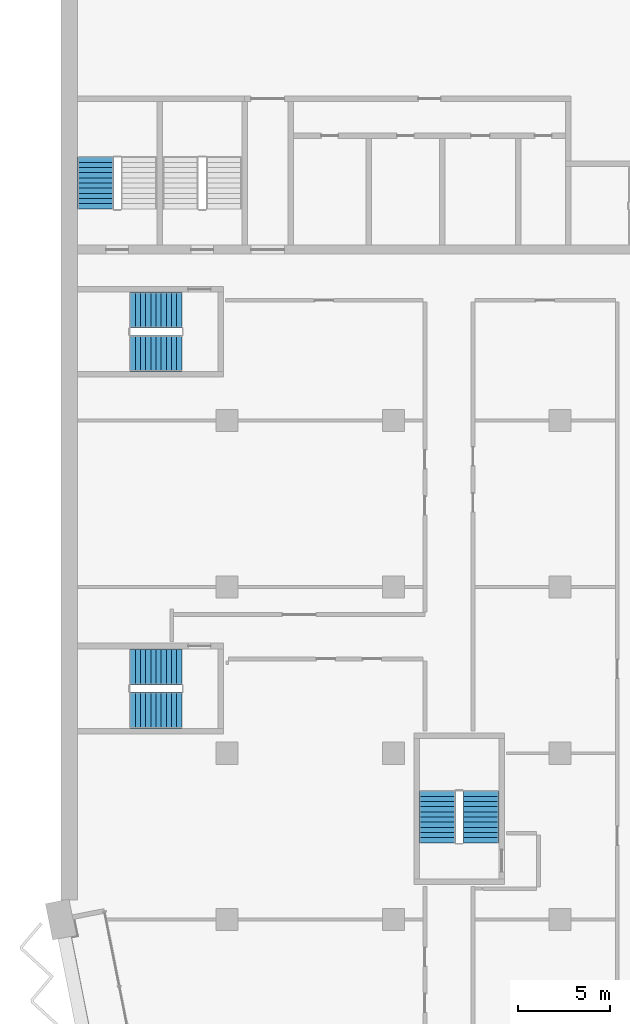
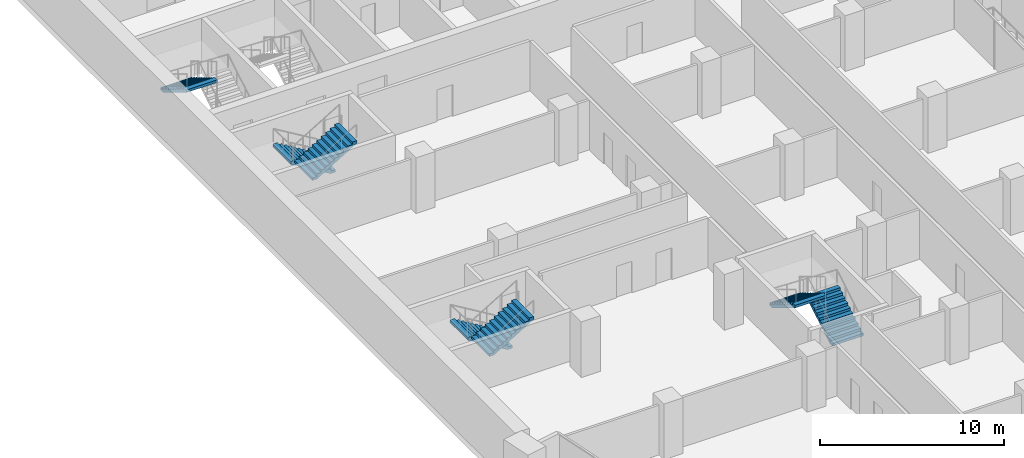
# One storey, part 16 of 23: 7 stair flights, 4 elements without a shape of their own.
"""IFC4 building model written with IfcOpenShell, lengths in metres."""

import ifcopenshell
import ifcopenshell.guid

model = None  # the IFC model being written
_history = None  # IfcOwnerHistory: only IFC2X3 demands one
_inside = {}  # id of a spatial element -> (the spatial element, [elements in it])
_under = {}  # id of a project, library or spatial element -> (it, [spatial elements below it])
_declared = {}  # id of a project -> (the project, [libraries it declares])
_typed = {}  # id of a type object -> (the type object, [elements of that type])
_made_of = {}  # id of a material, layer set ... -> (it, [elements and type objects made of it])


def new_model(schema):
    """Start an empty IFC model of exactly this schema.

    Asked for "IFC4X3", IfcOpenShell would pick the latest addendum, in which some entities
    have other attributes; the version numbers below select the first issue.
    IFC2X3 requires an IfcOwnerHistory on every rooted entity: one is made here for all.
    """
    global model, _history
    if schema == "IFC4X3":
        model = ifcopenshell.file(schema_version=(4, 3, 0, 0))
    else:
        model = ifcopenshell.file(schema=schema)
    _inside.clear()
    _under.clear()
    _declared.clear()
    _typed.clear()
    _made_of.clear()
    _history = None
    if model.schema == "IFC2X3":
        org = make("IfcOrganization", Name="unknown")
        user = make(
            "IfcPersonAndOrganization",
            ThePerson=make("IfcPerson", FamilyName="unknown"),
            TheOrganization=org,
        )
        app = make(
            "IfcApplication",
            ApplicationDeveloper=org,
            Version="unknown",
            ApplicationFullName="unknown",
            ApplicationIdentifier="unknown",
        )
        _history = make(
            "IfcOwnerHistory",
            OwningUser=user,
            OwningApplication=app,
            ChangeAction="ADDED",
            CreationDate=0,
        )
    return model


def make(cls, **values):
    """One entity of the class cls with the attributes given. An attribute that is None is left unset."""
    return model.create_entity(
        cls, **{name: value for name, value in values.items() if value is not None}
    )


def rooted(cls, **values):
    """An entity with a GlobalId (a new one), such as an element, a storey or a relation."""
    return make(cls, GlobalId=ifcopenshell.guid.new(), OwnerHistory=_history, **values)


def si_unit(unit_type, name, prefix=None):
    """IfcSIUnit, for example si_unit("LENGTHUNIT", "METRE", prefix="MILLI")."""
    return make("IfcSIUnit", UnitType=unit_type, Prefix=prefix, Name=name)


def assignment(units):
    """IfcUnitAssignment: the units of a project."""
    return None if units is None else make("IfcUnitAssignment", Units=units)


def point(xyz):
    """IfcCartesianPoint."""
    return None if xyz is None else make("IfcCartesianPoint", Coordinates=xyz)


def direction(xyz):
    """IfcDirection."""
    return None if xyz is None else make("IfcDirection", DirectionRatios=xyz)


def frame(location, z_axis=None, x_axis=None):
    """IfcAxis2Placement3D, a coordinate frame: its origin and axes. An axis left out is left unset."""
    return make(
        "IfcAxis2Placement3D",
        Location=point(location),
        Axis=direction(z_axis),
        RefDirection=direction(x_axis),
    )


def origin():
    """The frame at (0, 0, 0) with its axes left unset."""
    return frame((0.0, 0.0, 0.0))


def place(relative_to, where):
    """IfcLocalPlacement: puts the frame where relative to a parent placement (None: the world)."""
    return make(
        "IfcLocalPlacement", PlacementRelTo=relative_to, RelativePlacement=where
    )


def context(
    kind, dimensions, precision=None, world=None, true_north=None, identifier=None
):
    """IfcGeometricRepresentationContext, for example the 3D "Model" context."""
    return make(
        "IfcGeometricRepresentationContext",
        ContextIdentifier=identifier,
        ContextType=kind,
        CoordinateSpaceDimension=dimensions,
        Precision=precision,
        WorldCoordinateSystem=world,
        TrueNorth=true_north,
    )


def subcontext(parent, identifier, kind, view, scale=None):
    """IfcGeometricRepresentationSubContext, for example "Body" below "Model"."""
    return make(
        "IfcGeometricRepresentationSubContext",
        ContextIdentifier=identifier,
        ContextType=kind,
        ParentContext=parent,
        TargetScale=scale,
        TargetView=view,
    )


def project(units=None, contexts=None):
    """IfcProject with its units and contexts."""
    return rooted(
        "IfcProject",
        Name="project",
        RepresentationContexts=contexts,
        UnitsInContext=assignment(units),
    )


def spatial(cls, under=None, at=None, **own):
    """A site, building, storey or space (cls), placed at a placement, below another one or the project."""
    s = rooted(cls, ObjectPlacement=at, **own)
    if under is not None:
        _under.setdefault(under.id(), (under, []))[1].append(s)
    return s


def polyline(points):
    """IfcPolyline through the points."""
    return make("IfcPolyline", Points=[point(p) for p in points])


def outline(outer, holes=None, kind="AREA"):
    """IfcArbitraryClosedProfileDef: a profile drawn as a closed curve; with holes, ...WithVoids."""
    if holes is None:
        return make("IfcArbitraryClosedProfileDef", ProfileType=kind, OuterCurve=outer)
    return make(
        "IfcArbitraryProfileDefWithVoids",
        ProfileType=kind,
        OuterCurve=outer,
        InnerCurves=holes,
    )


def extrude(swept, where, along, depth):
    """IfcExtrudedAreaSolid: the profile swept, set in the frame where, extruded along a direction by depth."""
    return make(
        "IfcExtrudedAreaSolid",
        SweptArea=swept,
        Position=where,
        ExtrudedDirection=direction(along),
        Depth=depth,
    )


def shape(context_of_items, identifier, shape_type, items):
    """IfcShapeRepresentation: the items that make up one representation, for example the "Body"."""
    return make(
        "IfcShapeRepresentation",
        ContextOfItems=context_of_items,
        RepresentationIdentifier=identifier,
        RepresentationType=shape_type,
        Items=items,
    )


def material(Name=None, Category=None):
    """IfcMaterial."""
    return make("IfcMaterial", Name=Name, Category=Category)


def made_of(thing, what):
    """Note that an element or type object is made of a material, layer set ...; save() writes the relation."""
    if what is not None:
        _made_of.setdefault(what.id(), (what, []))[1].append(thing)
    return thing


def type_object(cls, material=None, **own):
    """A type object (cls), such as IfcWallType, which elements share."""
    return made_of(rooted(cls, **own), material)


def element(
    cls,
    number,
    at=None,
    inside=None,
    cuts=None,
    type_object=None,
    material=None,
    context=None,
    identifier="Body",
    shape_type=None,
    held_by="IfcProductDefinitionShape",
    body=None,
    shapes=None,
    **own,
):
    """One element of the class cls, such as IfcWall. Its Tag is "e" and its number.

    at: its placement. inside: the storey or other place that contains it. cuts: it is an
    opening in that element (IfcRelVoidsElement). A single representation is given by context,
    identifier, shape_type and body (its items); several are given by shapes. held_by: the class
    of the entity that holds the representations. save() writes the other relations.
    """
    e = rooted(cls, Tag="e%d" % number, ObjectPlacement=at, **own)
    if body is not None:
        shapes = [shape(context, identifier, shape_type, body)]
    if shapes is not None:
        e.Representation = make(held_by, Representations=shapes)
    if inside is not None:
        _inside.setdefault(inside.id(), (inside, []))[1].append(e)
    if cuts is not None:
        rooted(
            "IfcRelVoidsElement", RelatingBuildingElement=cuts, RelatedOpeningElement=e
        )
    if type_object is not None:
        _typed.setdefault(type_object.id(), (type_object, []))[1].append(e)
    return made_of(e, material)


def aggregate(whole, parts):
    """IfcRelAggregates: a whole, such as a stair, and the parts it consists of."""
    return rooted("IfcRelAggregates", RelatingObject=whole, RelatedObjects=parts)


def save(model, path):
    """Write the relations noted so far, then the file.

    IfcRelAggregates (storeys below a building ...), IfcRelContainedInSpatialStructure (elements
    in a storey), IfcRelDefinesByType, IfcRelAssociatesMaterial and IfcRelDeclares: one each for
    every whole, place, type object, material and project.
    """
    for whole, parts in _under.values():
        aggregate(whole, parts)
    for where, things in _inside.values():
        rooted(
            "IfcRelContainedInSpatialStructure",
            RelatedElements=things,
            RelatingStructure=where,
        )
    for kind, things in _typed.values():
        rooted("IfcRelDefinesByType", RelatedObjects=things, RelatingType=kind)
    for what, things in _made_of.values():
        rooted("IfcRelAssociatesMaterial", RelatedObjects=things, RelatingMaterial=what)
    for by, libraries in _declared.values():
        rooted("IfcRelDeclares", RelatingContext=by, RelatedDefinitions=libraries)
    model.write(path)


model = new_model("IFC4")

# Units and contexts
model_context = context("Model", 3, precision=1e-05, world=origin(), true_north=direction((0.0, 1.0)))
body_context = subcontext(model_context, "Body", "Model", "MODEL_VIEW")
ifc_project = project(units=[si_unit("LENGTHUNIT", "METRE"), si_unit("AREAUNIT", "SQUARE_METRE"), si_unit("VOLUMEUNIT", "CUBIC_METRE"), si_unit("PLANEANGLEUNIT", "RADIAN"), si_unit("MASSUNIT", "GRAM", prefix="KILO")], contexts=[model_context])

# Site, building, storey
site_placement = place(None, origin())
site = spatial("IfcSite", under=ifc_project, at=site_placement, CompositionType="ELEMENT")
building_placement = place(site_placement, origin())
building = spatial("IfcBuilding", under=site, at=building_placement, Name="Hunhe Ridgeline Campus", CompositionType="ELEMENT")
storey_placement = place(building_placement, frame((0.0, 0.0, 148.60009765625)))
storey = spatial("IfcBuildingStorey", under=building, at=storey_placement, Name="L37", CompositionType="ELEMENT", Elevation=148.60009765625)

# Stair, stair flight
ifc_material = material(Name="Concrete C40", Category="concrete")
stair_type = type_object("IfcStairType", Name="Reinforced concrete dog-leg stair 1950 Concrete C40", PredefinedType="HALF_TURN_STAIR", material=ifc_material)
stair_1_placement = place(storey_placement, origin())
stair_1 = element("IfcStair", 1, at=stair_1_placement, inside=storey, type_object=stair_type, Name="L37 S3", PredefinedType="HALF_TURN_STAIR")
stair_flight_type = type_object("IfcStairFlightType", Name="Reinforced concrete stair flight 1950 Concrete C40", PredefinedType="STRAIGHT", material=ifc_material)
stair_flight_1_placement = place(storey_placement, frame((1.875, 68.25, 1.849853515625), z_axis=(0.0, 0.0, 1.0), x_axis=(0.0, -1.0, 0.0)))
stair_flight_1 = element("IfcStairFlight", 2, at=stair_flight_1_placement, type_object=stair_flight_type, Name="ST3 flight 2", NumberOfRisers=11, NumberOfTreads=10, PredefinedType="STRAIGHT", RiserHeight=0.168181818, TreadLength=0.28, context=body_context, shape_type="SweptSolid", body=[
    extrude(outline(polyline([(0.0, 0.0), (0.0, 0.168212890625), (0.280029296875, 0.168212890625), (0.280029296875, 0.33642578125), (0.56005859375, 0.33642578125), (0.56005859375, 0.504638671875), (0.840087890625, 0.504638671875), (0.840087890625, 0.672607421875), (1.1201171875, 0.672607421875), (1.1201171875, 0.8408203125), (1.39990234375, 0.8408203125), (1.39990234375, 1.009033203125), (1.679931640625, 1.009033203125), (1.679931640625, 1.17724609375), (1.9599609375, 1.17724609375), (1.9599609375, 1.345458984375), (2.239990234375, 1.345458984375), (2.239990234375, 1.513671875), (2.52001953125, 1.513671875), (2.52001953125, 1.681884765625), (2.800048828125, 1.681884765625), (2.800048828125, 1.85009765625), (2.800048828125, 1.5068359375), (0.291015625, 0.0), (0.0, 0.0)])), frame((0.0, 0.97509765625, 0.0), z_axis=(0.0, -1.0, 0.0), x_axis=(1.0, 0.0, 0.0)), (0.0, 0.0, 1.0), 1.949951171875),
    extrude(outline(polyline([(0.030029296875, 0.030029296875), (0.030029296875, 0.13818359375), (0.31005859375, 0.13818359375), (0.31005859375, 0.306396484375), (0.590087890625, 0.306396484375), (0.590087890625, 0.474609375), (0.8701171875, 0.474609375), (0.8701171875, 0.642578125), (1.14990234375, 0.642578125), (1.14990234375, 0.810791015625), (1.429931640625, 0.810791015625), (1.429931640625, 0.97900390625), (1.7099609375, 0.97900390625), (1.7099609375, 1.147216796875), (1.989990234375, 1.147216796875), (1.989990234375, 1.3154296875), (2.27001953125, 1.3154296875), (2.27001953125, 1.483642578125), (2.550048828125, 1.483642578125), (2.550048828125, 1.65185546875), (2.77001953125, 1.65185546875), (2.77001953125, 1.52392578125), (0.28271484375, 0.030029296875), (0.030029296875, 0.030029296875)])), frame((0.0, -0.070068359375, 0.0), z_axis=(0.0, -1.0, 0.0), x_axis=(1.0, 0.0, 0.0)), (0.0, 0.0, 1.0), 0.019775390625),
    extrude(outline(polyline([(0.030029296875, 0.030029296875), (0.030029296875, 0.13818359375), (0.31005859375, 0.13818359375), (0.31005859375, 0.306396484375), (0.590087890625, 0.306396484375), (0.590087890625, 0.474609375), (0.8701171875, 0.474609375), (0.8701171875, 0.642578125), (1.14990234375, 0.642578125), (1.14990234375, 0.810791015625), (1.429931640625, 0.810791015625), (1.429931640625, 0.97900390625), (1.7099609375, 0.97900390625), (1.7099609375, 1.147216796875), (1.989990234375, 1.147216796875), (1.989990234375, 1.3154296875), (2.27001953125, 1.3154296875), (2.27001953125, 1.483642578125), (2.550048828125, 1.483642578125), (2.550048828125, 1.65185546875), (2.77001953125, 1.65185546875), (2.77001953125, 1.52392578125), (0.28271484375, 0.030029296875), (0.030029296875, 0.030029296875)])), frame((0.0, 0.010009765625, 0.0), z_axis=(0.0, -1.0, 0.0), x_axis=(1.0, 0.0, 0.0)), (0.0, 0.0, 1.0), 0.019775390625),
    extrude(outline(polyline([(0.030029296875, 0.030029296875), (0.030029296875, 0.13818359375), (0.31005859375, 0.13818359375), (0.31005859375, 0.306396484375), (0.590087890625, 0.306396484375), (0.590087890625, 0.474609375), (0.8701171875, 0.474609375), (0.8701171875, 0.642578125), (1.14990234375, 0.642578125), (1.14990234375, 0.810791015625), (1.429931640625, 0.810791015625), (1.429931640625, 0.97900390625), (1.7099609375, 0.97900390625), (1.7099609375, 1.147216796875), (1.989990234375, 1.147216796875), (1.989990234375, 1.3154296875), (2.27001953125, 1.3154296875), (2.27001953125, 1.483642578125), (2.550048828125, 1.483642578125), (2.550048828125, 1.65185546875), (2.77001953125, 1.65185546875), (2.77001953125, 1.52392578125), (0.28271484375, 0.030029296875), (0.030029296875, 0.030029296875)])), frame((0.0, 0.090087890625, 0.0), z_axis=(0.0, -1.0, 0.0), x_axis=(1.0, 0.0, 0.0)), (0.0, 0.0, 1.0), 0.019775390625),
])
aggregate(stair_1, [stair_flight_1])

# Stair, stair flights
stair_2_placement = place(storey_placement, origin())
stair_2 = element("IfcStair", 3, at=stair_2_placement, inside=storey, type_object=stair_type, Name="L37 W3", PredefinedType="HALF_TURN_STAIR")
stair_flight_2_placement = place(storey_placement, frame((22.72509765625, 31.14990234375, 0.0), z_axis=(0.0, 0.0, 1.0), x_axis=(0.0, 1.0, 0.0)))
stair_flight_2 = element("IfcStairFlight", 4, at=stair_flight_2_placement, type_object=stair_flight_type, Name="ST9 flight 1", NumberOfRisers=11, NumberOfTreads=10, PredefinedType="STRAIGHT", RiserHeight=0.168181818, TreadLength=0.28, context=body_context, shape_type="SweptSolid", body=[
    extrude(outline(polyline([(0.0, 0.0), (0.0, 0.168212890625), (0.280029296875, 0.168212890625), (0.280029296875, 0.33642578125), (0.56005859375, 0.33642578125), (0.56005859375, 0.504638671875), (0.840087890625, 0.504638671875), (0.840087890625, 0.672607421875), (1.1201171875, 0.672607421875), (1.1201171875, 0.8408203125), (1.39990234375, 0.8408203125), (1.39990234375, 1.009033203125), (1.679931640625, 1.009033203125), (1.679931640625, 1.17724609375), (1.9599609375, 1.17724609375), (1.9599609375, 1.345458984375), (2.239990234375, 1.345458984375), (2.239990234375, 1.513671875), (2.52001953125, 1.513671875), (2.52001953125, 1.681884765625), (2.800048828125, 1.681884765625), (2.800048828125, 1.85009765625), (2.800048828125, 1.5068359375), (0.291015625, 0.0), (0.0, 0.0)])), frame((0.0, 0.97509765625, 0.0), z_axis=(0.0, -1.0, 0.0), x_axis=(1.0, 0.0, 0.0)), (0.0, 0.0, 1.0), 1.949951171875),
    extrude(outline(polyline([(0.030029296875, 0.030029296875), (0.030029296875, 0.13818359375), (0.31005859375, 0.13818359375), (0.31005859375, 0.306396484375), (0.590087890625, 0.306396484375), (0.590087890625, 0.474609375), (0.8701171875, 0.474609375), (0.8701171875, 0.642578125), (1.14990234375, 0.642578125), (1.14990234375, 0.810791015625), (1.429931640625, 0.810791015625), (1.429931640625, 0.97900390625), (1.7099609375, 0.97900390625), (1.7099609375, 1.147216796875), (1.989990234375, 1.147216796875), (1.989990234375, 1.3154296875), (2.27001953125, 1.3154296875), (2.27001953125, 1.483642578125), (2.550048828125, 1.483642578125), (2.550048828125, 1.65185546875), (2.77001953125, 1.65185546875), (2.77001953125, 1.52392578125), (0.28271484375, 0.030029296875), (0.030029296875, 0.030029296875)])), frame((0.0, -0.070068359375, 0.0), z_axis=(0.0, -1.0, 0.0), x_axis=(1.0, 0.0, 0.0)), (0.0, 0.0, 1.0), 0.019775390625),
    extrude(outline(polyline([(0.030029296875, 0.030029296875), (0.030029296875, 0.13818359375), (0.31005859375, 0.13818359375), (0.31005859375, 0.306396484375), (0.590087890625, 0.306396484375), (0.590087890625, 0.474609375), (0.8701171875, 0.474609375), (0.8701171875, 0.642578125), (1.14990234375, 0.642578125), (1.14990234375, 0.810791015625), (1.429931640625, 0.810791015625), (1.429931640625, 0.97900390625), (1.7099609375, 0.97900390625), (1.7099609375, 1.147216796875), (1.989990234375, 1.147216796875), (1.989990234375, 1.3154296875), (2.27001953125, 1.3154296875), (2.27001953125, 1.483642578125), (2.550048828125, 1.483642578125), (2.550048828125, 1.65185546875), (2.77001953125, 1.65185546875), (2.77001953125, 1.52392578125), (0.28271484375, 0.030029296875), (0.030029296875, 0.030029296875)])), frame((0.0, 0.010009765625, 0.0), z_axis=(0.0, -1.0, 0.0), x_axis=(1.0, 0.0, 0.0)), (0.0, 0.0, 1.0), 0.019775390625),
    extrude(outline(polyline([(0.030029296875, 0.030029296875), (0.030029296875, 0.13818359375), (0.31005859375, 0.13818359375), (0.31005859375, 0.306396484375), (0.590087890625, 0.306396484375), (0.590087890625, 0.474609375), (0.8701171875, 0.474609375), (0.8701171875, 0.642578125), (1.14990234375, 0.642578125), (1.14990234375, 0.810791015625), (1.429931640625, 0.810791015625), (1.429931640625, 0.97900390625), (1.7099609375, 0.97900390625), (1.7099609375, 1.147216796875), (1.989990234375, 1.147216796875), (1.989990234375, 1.3154296875), (2.27001953125, 1.3154296875), (2.27001953125, 1.483642578125), (2.550048828125, 1.483642578125), (2.550048828125, 1.65185546875), (2.77001953125, 1.65185546875), (2.77001953125, 1.52392578125), (0.28271484375, 0.030029296875), (0.030029296875, 0.030029296875)])), frame((0.0, 0.090087890625, 0.0), z_axis=(0.0, -1.0, 0.0), x_axis=(1.0, 0.0, 0.0)), (0.0, 0.0, 1.0), 0.019775390625),
])
stair_flight_3_placement = place(storey_placement, frame((20.375, 33.949951171875, 1.849853515625), z_axis=(0.0, 0.0, 1.0), x_axis=(0.0, -1.0, 0.0)))
stair_flight_3 = element("IfcStairFlight", 5, at=stair_flight_3_placement, type_object=stair_flight_type, Name="ST9 flight 2", NumberOfRisers=11, NumberOfTreads=10, PredefinedType="STRAIGHT", RiserHeight=0.168181818, TreadLength=0.28, context=body_context, shape_type="SweptSolid", body=[
    extrude(outline(polyline([(0.0, 0.0), (0.0, 0.168212890625), (0.280029296875, 0.168212890625), (0.280029296875, 0.33642578125), (0.56005859375, 0.33642578125), (0.56005859375, 0.504638671875), (0.840087890625, 0.504638671875), (0.840087890625, 0.672607421875), (1.1201171875, 0.672607421875), (1.1201171875, 0.8408203125), (1.39990234375, 0.8408203125), (1.39990234375, 1.009033203125), (1.679931640625, 1.009033203125), (1.679931640625, 1.17724609375), (1.9599609375, 1.17724609375), (1.9599609375, 1.345458984375), (2.239990234375, 1.345458984375), (2.239990234375, 1.513671875), (2.52001953125, 1.513671875), (2.52001953125, 1.681884765625), (2.800048828125, 1.681884765625), (2.800048828125, 1.85009765625), (2.800048828125, 1.5068359375), (0.291015625, 0.0), (0.0, 0.0)])), frame((0.0, 0.97509765625, 0.0), z_axis=(0.0, -1.0, 0.0), x_axis=(1.0, 0.0, 0.0)), (0.0, 0.0, 1.0), 1.949951171875),
    extrude(outline(polyline([(0.030029296875, 0.030029296875), (0.030029296875, 0.13818359375), (0.31005859375, 0.13818359375), (0.31005859375, 0.306396484375), (0.590087890625, 0.306396484375), (0.590087890625, 0.474609375), (0.8701171875, 0.474609375), (0.8701171875, 0.642578125), (1.14990234375, 0.642578125), (1.14990234375, 0.810791015625), (1.429931640625, 0.810791015625), (1.429931640625, 0.97900390625), (1.7099609375, 0.97900390625), (1.7099609375, 1.147216796875), (1.989990234375, 1.147216796875), (1.989990234375, 1.3154296875), (2.27001953125, 1.3154296875), (2.27001953125, 1.483642578125), (2.550048828125, 1.483642578125), (2.550048828125, 1.65185546875), (2.77001953125, 1.65185546875), (2.77001953125, 1.52392578125), (0.28271484375, 0.030029296875), (0.030029296875, 0.030029296875)])), frame((0.0, -0.070068359375, 0.0), z_axis=(0.0, -1.0, 0.0), x_axis=(1.0, 0.0, 0.0)), (0.0, 0.0, 1.0), 0.019775390625),
    extrude(outline(polyline([(0.030029296875, 0.030029296875), (0.030029296875, 0.13818359375), (0.31005859375, 0.13818359375), (0.31005859375, 0.306396484375), (0.590087890625, 0.306396484375), (0.590087890625, 0.474609375), (0.8701171875, 0.474609375), (0.8701171875, 0.642578125), (1.14990234375, 0.642578125), (1.14990234375, 0.810791015625), (1.429931640625, 0.810791015625), (1.429931640625, 0.97900390625), (1.7099609375, 0.97900390625), (1.7099609375, 1.147216796875), (1.989990234375, 1.147216796875), (1.989990234375, 1.3154296875), (2.27001953125, 1.3154296875), (2.27001953125, 1.483642578125), (2.550048828125, 1.483642578125), (2.550048828125, 1.65185546875), (2.77001953125, 1.65185546875), (2.77001953125, 1.52392578125), (0.28271484375, 0.030029296875), (0.030029296875, 0.030029296875)])), frame((0.0, 0.010009765625, 0.0), z_axis=(0.0, -1.0, 0.0), x_axis=(1.0, 0.0, 0.0)), (0.0, 0.0, 1.0), 0.019775390625),
    extrude(outline(polyline([(0.030029296875, 0.030029296875), (0.030029296875, 0.13818359375), (0.31005859375, 0.13818359375), (0.31005859375, 0.306396484375), (0.590087890625, 0.306396484375), (0.590087890625, 0.474609375), (0.8701171875, 0.474609375), (0.8701171875, 0.642578125), (1.14990234375, 0.642578125), (1.14990234375, 0.810791015625), (1.429931640625, 0.810791015625), (1.429931640625, 0.97900390625), (1.7099609375, 0.97900390625), (1.7099609375, 1.147216796875), (1.989990234375, 1.147216796875), (1.989990234375, 1.3154296875), (2.27001953125, 1.3154296875), (2.27001953125, 1.483642578125), (2.550048828125, 1.483642578125), (2.550048828125, 1.65185546875), (2.77001953125, 1.65185546875), (2.77001953125, 1.52392578125), (0.28271484375, 0.030029296875), (0.030029296875, 0.030029296875)])), frame((0.0, 0.090087890625, 0.0), z_axis=(0.0, -1.0, 0.0), x_axis=(1.0, 0.0, 0.0)), (0.0, 0.0, 1.0), 0.019775390625),
])
aggregate(stair_2, [stair_flight_2, stair_flight_3])

stair_3_placement = place(storey_placement, origin())
stair_3 = element("IfcStair", 6, at=stair_3_placement, inside=storey, type_object=stair_type, Name="L37 W1", PredefinedType="HALF_TURN_STAIR")
stair_flight_4_placement = place(storey_placement, frame((6.550048828125, 40.675048828125, 0.0), z_axis=(0.0, 0.0, 1.0), x_axis=(-1.0, 0.0, 0.0)))
stair_flight_4 = element("IfcStairFlight", 7, at=stair_flight_4_placement, type_object=stair_flight_type, Name="ST11 flight 1", NumberOfRisers=11, NumberOfTreads=10, PredefinedType="STRAIGHT", RiserHeight=0.168181818, TreadLength=0.28, context=body_context, shape_type="SweptSolid", body=[
    extrude(outline(polyline([(0.0, 0.0), (0.0, 0.168212890625), (0.280029296875, 0.168212890625), (0.280029296875, 0.33642578125), (0.56005859375, 0.33642578125), (0.56005859375, 0.504638671875), (0.840087890625, 0.504638671875), (0.840087890625, 0.672607421875), (1.1201171875, 0.672607421875), (1.1201171875, 0.8408203125), (1.39990234375, 0.8408203125), (1.39990234375, 1.009033203125), (1.679931640625, 1.009033203125), (1.679931640625, 1.17724609375), (1.9599609375, 1.17724609375), (1.9599609375, 1.345458984375), (2.239990234375, 1.345458984375), (2.239990234375, 1.513671875), (2.52001953125, 1.513671875), (2.52001953125, 1.681884765625), (2.800048828125, 1.681884765625), (2.800048828125, 1.85009765625), (2.800048828125, 1.5068359375), (0.291015625, 0.0), (0.0, 0.0)])), frame((0.0, 0.97509765625, 0.0), z_axis=(0.0, -1.0, 0.0), x_axis=(1.0, 0.0, 0.0)), (0.0, 0.0, 1.0), 1.949951171875),
    extrude(outline(polyline([(0.030029296875, 0.030029296875), (0.030029296875, 0.13818359375), (0.31005859375, 0.13818359375), (0.31005859375, 0.306396484375), (0.590087890625, 0.306396484375), (0.590087890625, 0.474609375), (0.8701171875, 0.474609375), (0.8701171875, 0.642578125), (1.14990234375, 0.642578125), (1.14990234375, 0.810791015625), (1.429931640625, 0.810791015625), (1.429931640625, 0.97900390625), (1.7099609375, 0.97900390625), (1.7099609375, 1.147216796875), (1.989990234375, 1.147216796875), (1.989990234375, 1.3154296875), (2.27001953125, 1.3154296875), (2.27001953125, 1.483642578125), (2.550048828125, 1.483642578125), (2.550048828125, 1.65185546875), (2.77001953125, 1.65185546875), (2.77001953125, 1.52392578125), (0.28271484375, 0.030029296875), (0.030029296875, 0.030029296875)])), frame((0.0, -0.070068359375, 0.0), z_axis=(0.0, -1.0, 0.0), x_axis=(1.0, 0.0, 0.0)), (0.0, 0.0, 1.0), 0.019775390625),
    extrude(outline(polyline([(0.030029296875, 0.030029296875), (0.030029296875, 0.13818359375), (0.31005859375, 0.13818359375), (0.31005859375, 0.306396484375), (0.590087890625, 0.306396484375), (0.590087890625, 0.474609375), (0.8701171875, 0.474609375), (0.8701171875, 0.642578125), (1.14990234375, 0.642578125), (1.14990234375, 0.810791015625), (1.429931640625, 0.810791015625), (1.429931640625, 0.97900390625), (1.7099609375, 0.97900390625), (1.7099609375, 1.147216796875), (1.989990234375, 1.147216796875), (1.989990234375, 1.3154296875), (2.27001953125, 1.3154296875), (2.27001953125, 1.483642578125), (2.550048828125, 1.483642578125), (2.550048828125, 1.65185546875), (2.77001953125, 1.65185546875), (2.77001953125, 1.52392578125), (0.28271484375, 0.030029296875), (0.030029296875, 0.030029296875)])), frame((0.0, 0.010009765625, 0.0), z_axis=(0.0, -1.0, 0.0), x_axis=(1.0, 0.0, 0.0)), (0.0, 0.0, 1.0), 0.019775390625),
    extrude(outline(polyline([(0.030029296875, 0.030029296875), (0.030029296875, 0.13818359375), (0.31005859375, 0.13818359375), (0.31005859375, 0.306396484375), (0.590087890625, 0.306396484375), (0.590087890625, 0.474609375), (0.8701171875, 0.474609375), (0.8701171875, 0.642578125), (1.14990234375, 0.642578125), (1.14990234375, 0.810791015625), (1.429931640625, 0.810791015625), (1.429931640625, 0.97900390625), (1.7099609375, 0.97900390625), (1.7099609375, 1.147216796875), (1.989990234375, 1.147216796875), (1.989990234375, 1.3154296875), (2.27001953125, 1.3154296875), (2.27001953125, 1.483642578125), (2.550048828125, 1.483642578125), (2.550048828125, 1.65185546875), (2.77001953125, 1.65185546875), (2.77001953125, 1.52392578125), (0.28271484375, 0.030029296875), (0.030029296875, 0.030029296875)])), frame((0.0, 0.090087890625, 0.0), z_axis=(0.0, -1.0, 0.0), x_axis=(1.0, 0.0, 0.0)), (0.0, 0.0, 1.0), 0.019775390625),
])
stair_flight_5_placement = place(storey_placement, frame((3.75, 38.324951171875, 1.849853515625), z_axis=(0.0, 0.0, 1.0), x_axis=(1.0, 0.0, 0.0)))
stair_flight_5 = element("IfcStairFlight", 8, at=stair_flight_5_placement, type_object=stair_flight_type, Name="ST11 flight 2", NumberOfRisers=11, NumberOfTreads=10, PredefinedType="STRAIGHT", RiserHeight=0.168181818, TreadLength=0.28, context=body_context, shape_type="SweptSolid", body=[
    extrude(outline(polyline([(0.0, 0.0), (0.0, 0.168212890625), (0.280029296875, 0.168212890625), (0.280029296875, 0.33642578125), (0.56005859375, 0.33642578125), (0.56005859375, 0.504638671875), (0.840087890625, 0.504638671875), (0.840087890625, 0.672607421875), (1.1201171875, 0.672607421875), (1.1201171875, 0.8408203125), (1.39990234375, 0.8408203125), (1.39990234375, 1.009033203125), (1.679931640625, 1.009033203125), (1.679931640625, 1.17724609375), (1.9599609375, 1.17724609375), (1.9599609375, 1.345458984375), (2.239990234375, 1.345458984375), (2.239990234375, 1.513671875), (2.52001953125, 1.513671875), (2.52001953125, 1.681884765625), (2.800048828125, 1.681884765625), (2.800048828125, 1.85009765625), (2.800048828125, 1.5068359375), (0.291015625, 0.0), (0.0, 0.0)])), frame((0.0, 0.97509765625, 0.0), z_axis=(0.0, -1.0, 0.0), x_axis=(1.0, 0.0, 0.0)), (0.0, 0.0, 1.0), 1.949951171875),
    extrude(outline(polyline([(0.030029296875, 0.030029296875), (0.030029296875, 0.13818359375), (0.31005859375, 0.13818359375), (0.31005859375, 0.306396484375), (0.590087890625, 0.306396484375), (0.590087890625, 0.474609375), (0.8701171875, 0.474609375), (0.8701171875, 0.642578125), (1.14990234375, 0.642578125), (1.14990234375, 0.810791015625), (1.429931640625, 0.810791015625), (1.429931640625, 0.97900390625), (1.7099609375, 0.97900390625), (1.7099609375, 1.147216796875), (1.989990234375, 1.147216796875), (1.989990234375, 1.3154296875), (2.27001953125, 1.3154296875), (2.27001953125, 1.483642578125), (2.550048828125, 1.483642578125), (2.550048828125, 1.65185546875), (2.77001953125, 1.65185546875), (2.77001953125, 1.52392578125), (0.28271484375, 0.030029296875), (0.030029296875, 0.030029296875)])), frame((0.0, -0.070068359375, 0.0), z_axis=(0.0, -1.0, 0.0), x_axis=(1.0, 0.0, 0.0)), (0.0, 0.0, 1.0), 0.019775390625),
    extrude(outline(polyline([(0.030029296875, 0.030029296875), (0.030029296875, 0.13818359375), (0.31005859375, 0.13818359375), (0.31005859375, 0.306396484375), (0.590087890625, 0.306396484375), (0.590087890625, 0.474609375), (0.8701171875, 0.474609375), (0.8701171875, 0.642578125), (1.14990234375, 0.642578125), (1.14990234375, 0.810791015625), (1.429931640625, 0.810791015625), (1.429931640625, 0.97900390625), (1.7099609375, 0.97900390625), (1.7099609375, 1.147216796875), (1.989990234375, 1.147216796875), (1.989990234375, 1.3154296875), (2.27001953125, 1.3154296875), (2.27001953125, 1.483642578125), (2.550048828125, 1.483642578125), (2.550048828125, 1.65185546875), (2.77001953125, 1.65185546875), (2.77001953125, 1.52392578125), (0.28271484375, 0.030029296875), (0.030029296875, 0.030029296875)])), frame((0.0, 0.010009765625, 0.0), z_axis=(0.0, -1.0, 0.0), x_axis=(1.0, 0.0, 0.0)), (0.0, 0.0, 1.0), 0.019775390625),
    extrude(outline(polyline([(0.030029296875, 0.030029296875), (0.030029296875, 0.13818359375), (0.31005859375, 0.13818359375), (0.31005859375, 0.306396484375), (0.590087890625, 0.306396484375), (0.590087890625, 0.474609375), (0.8701171875, 0.474609375), (0.8701171875, 0.642578125), (1.14990234375, 0.642578125), (1.14990234375, 0.810791015625), (1.429931640625, 0.810791015625), (1.429931640625, 0.97900390625), (1.7099609375, 0.97900390625), (1.7099609375, 1.147216796875), (1.989990234375, 1.147216796875), (1.989990234375, 1.3154296875), (2.27001953125, 1.3154296875), (2.27001953125, 1.483642578125), (2.550048828125, 1.483642578125), (2.550048828125, 1.65185546875), (2.77001953125, 1.65185546875), (2.77001953125, 1.52392578125), (0.28271484375, 0.030029296875), (0.030029296875, 0.030029296875)])), frame((0.0, 0.090087890625, 0.0), z_axis=(0.0, -1.0, 0.0), x_axis=(1.0, 0.0, 0.0)), (0.0, 0.0, 1.0), 0.019775390625),
])
aggregate(stair_3, [stair_flight_4, stair_flight_5])

stair_4_placement = place(storey_placement, origin())
stair_4 = element("IfcStair", 9, at=stair_4_placement, inside=storey, type_object=stair_type, Name="L37 W2", PredefinedType="HALF_TURN_STAIR")
stair_flight_6_placement = place(storey_placement, frame((6.550048828125, 59.97509765625, 0.0), z_axis=(0.0, 0.0, 1.0), x_axis=(-1.0, 0.0, 0.0)))
stair_flight_6 = element("IfcStairFlight", 10, at=stair_flight_6_placement, type_object=stair_flight_type, Name="ST12 flight 1", NumberOfRisers=11, NumberOfTreads=10, PredefinedType="STRAIGHT", RiserHeight=0.168181818, TreadLength=0.28, context=body_context, shape_type="SweptSolid", body=[
    extrude(outline(polyline([(0.0, 0.0), (0.0, 0.168212890625), (0.280029296875, 0.168212890625), (0.280029296875, 0.33642578125), (0.56005859375, 0.33642578125), (0.56005859375, 0.504638671875), (0.840087890625, 0.504638671875), (0.840087890625, 0.672607421875), (1.1201171875, 0.672607421875), (1.1201171875, 0.8408203125), (1.39990234375, 0.8408203125), (1.39990234375, 1.009033203125), (1.679931640625, 1.009033203125), (1.679931640625, 1.17724609375), (1.9599609375, 1.17724609375), (1.9599609375, 1.345458984375), (2.239990234375, 1.345458984375), (2.239990234375, 1.513671875), (2.52001953125, 1.513671875), (2.52001953125, 1.681884765625), (2.800048828125, 1.681884765625), (2.800048828125, 1.85009765625), (2.800048828125, 1.5068359375), (0.291015625, 0.0), (0.0, 0.0)])), frame((0.0, 0.97509765625, 0.0), z_axis=(0.0, -1.0, 0.0), x_axis=(1.0, 0.0, 0.0)), (0.0, 0.0, 1.0), 1.949951171875),
    extrude(outline(polyline([(0.030029296875, 0.030029296875), (0.030029296875, 0.13818359375), (0.31005859375, 0.13818359375), (0.31005859375, 0.306396484375), (0.590087890625, 0.306396484375), (0.590087890625, 0.474609375), (0.8701171875, 0.474609375), (0.8701171875, 0.642578125), (1.14990234375, 0.642578125), (1.14990234375, 0.810791015625), (1.429931640625, 0.810791015625), (1.429931640625, 0.97900390625), (1.7099609375, 0.97900390625), (1.7099609375, 1.147216796875), (1.989990234375, 1.147216796875), (1.989990234375, 1.3154296875), (2.27001953125, 1.3154296875), (2.27001953125, 1.483642578125), (2.550048828125, 1.483642578125), (2.550048828125, 1.65185546875), (2.77001953125, 1.65185546875), (2.77001953125, 1.52392578125), (0.28271484375, 0.030029296875), (0.030029296875, 0.030029296875)])), frame((0.0, -0.070068359375, 0.0), z_axis=(0.0, -1.0, 0.0), x_axis=(1.0, 0.0, 0.0)), (0.0, 0.0, 1.0), 0.019775390625),
    extrude(outline(polyline([(0.030029296875, 0.030029296875), (0.030029296875, 0.13818359375), (0.31005859375, 0.13818359375), (0.31005859375, 0.306396484375), (0.590087890625, 0.306396484375), (0.590087890625, 0.474609375), (0.8701171875, 0.474609375), (0.8701171875, 0.642578125), (1.14990234375, 0.642578125), (1.14990234375, 0.810791015625), (1.429931640625, 0.810791015625), (1.429931640625, 0.97900390625), (1.7099609375, 0.97900390625), (1.7099609375, 1.147216796875), (1.989990234375, 1.147216796875), (1.989990234375, 1.3154296875), (2.27001953125, 1.3154296875), (2.27001953125, 1.483642578125), (2.550048828125, 1.483642578125), (2.550048828125, 1.65185546875), (2.77001953125, 1.65185546875), (2.77001953125, 1.52392578125), (0.28271484375, 0.030029296875), (0.030029296875, 0.030029296875)])), frame((0.0, 0.010009765625, 0.0), z_axis=(0.0, -1.0, 0.0), x_axis=(1.0, 0.0, 0.0)), (0.0, 0.0, 1.0), 0.019775390625),
    extrude(outline(polyline([(0.030029296875, 0.030029296875), (0.030029296875, 0.13818359375), (0.31005859375, 0.13818359375), (0.31005859375, 0.306396484375), (0.590087890625, 0.306396484375), (0.590087890625, 0.474609375), (0.8701171875, 0.474609375), (0.8701171875, 0.642578125), (1.14990234375, 0.642578125), (1.14990234375, 0.810791015625), (1.429931640625, 0.810791015625), (1.429931640625, 0.97900390625), (1.7099609375, 0.97900390625), (1.7099609375, 1.147216796875), (1.989990234375, 1.147216796875), (1.989990234375, 1.3154296875), (2.27001953125, 1.3154296875), (2.27001953125, 1.483642578125), (2.550048828125, 1.483642578125), (2.550048828125, 1.65185546875), (2.77001953125, 1.65185546875), (2.77001953125, 1.52392578125), (0.28271484375, 0.030029296875), (0.030029296875, 0.030029296875)])), frame((0.0, 0.090087890625, 0.0), z_axis=(0.0, -1.0, 0.0), x_axis=(1.0, 0.0, 0.0)), (0.0, 0.0, 1.0), 0.019775390625),
])
stair_flight_7_placement = place(storey_placement, frame((3.75, 57.625, 1.849853515625), z_axis=(0.0, 0.0, 1.0), x_axis=(1.0, 0.0, 0.0)))
stair_flight_7 = element("IfcStairFlight", 11, at=stair_flight_7_placement, type_object=stair_flight_type, Name="ST12 flight 2", NumberOfRisers=11, NumberOfTreads=10, PredefinedType="STRAIGHT", RiserHeight=0.168181818, TreadLength=0.28, context=body_context, shape_type="SweptSolid", body=[
    extrude(outline(polyline([(0.0, 0.0), (0.0, 0.168212890625), (0.280029296875, 0.168212890625), (0.280029296875, 0.33642578125), (0.56005859375, 0.33642578125), (0.56005859375, 0.504638671875), (0.840087890625, 0.504638671875), (0.840087890625, 0.672607421875), (1.1201171875, 0.672607421875), (1.1201171875, 0.8408203125), (1.39990234375, 0.8408203125), (1.39990234375, 1.009033203125), (1.679931640625, 1.009033203125), (1.679931640625, 1.17724609375), (1.9599609375, 1.17724609375), (1.9599609375, 1.345458984375), (2.239990234375, 1.345458984375), (2.239990234375, 1.513671875), (2.52001953125, 1.513671875), (2.52001953125, 1.681884765625), (2.800048828125, 1.681884765625), (2.800048828125, 1.85009765625), (2.800048828125, 1.5068359375), (0.291015625, 0.0), (0.0, 0.0)])), frame((0.0, 0.97509765625, 0.0), z_axis=(0.0, -1.0, 0.0), x_axis=(1.0, 0.0, 0.0)), (0.0, 0.0, 1.0), 1.949951171875),
    extrude(outline(polyline([(0.030029296875, 0.030029296875), (0.030029296875, 0.13818359375), (0.31005859375, 0.13818359375), (0.31005859375, 0.306396484375), (0.590087890625, 0.306396484375), (0.590087890625, 0.474609375), (0.8701171875, 0.474609375), (0.8701171875, 0.642578125), (1.14990234375, 0.642578125), (1.14990234375, 0.810791015625), (1.429931640625, 0.810791015625), (1.429931640625, 0.97900390625), (1.7099609375, 0.97900390625), (1.7099609375, 1.147216796875), (1.989990234375, 1.147216796875), (1.989990234375, 1.3154296875), (2.27001953125, 1.3154296875), (2.27001953125, 1.483642578125), (2.550048828125, 1.483642578125), (2.550048828125, 1.65185546875), (2.77001953125, 1.65185546875), (2.77001953125, 1.52392578125), (0.28271484375, 0.030029296875), (0.030029296875, 0.030029296875)])), frame((0.0, -0.070068359375, 0.0), z_axis=(0.0, -1.0, 0.0), x_axis=(1.0, 0.0, 0.0)), (0.0, 0.0, 1.0), 0.019775390625),
    extrude(outline(polyline([(0.030029296875, 0.030029296875), (0.030029296875, 0.13818359375), (0.31005859375, 0.13818359375), (0.31005859375, 0.306396484375), (0.590087890625, 0.306396484375), (0.590087890625, 0.474609375), (0.8701171875, 0.474609375), (0.8701171875, 0.642578125), (1.14990234375, 0.642578125), (1.14990234375, 0.810791015625), (1.429931640625, 0.810791015625), (1.429931640625, 0.97900390625), (1.7099609375, 0.97900390625), (1.7099609375, 1.147216796875), (1.989990234375, 1.147216796875), (1.989990234375, 1.3154296875), (2.27001953125, 1.3154296875), (2.27001953125, 1.483642578125), (2.550048828125, 1.483642578125), (2.550048828125, 1.65185546875), (2.77001953125, 1.65185546875), (2.77001953125, 1.52392578125), (0.28271484375, 0.030029296875), (0.030029296875, 0.030029296875)])), frame((0.0, 0.010009765625, 0.0), z_axis=(0.0, -1.0, 0.0), x_axis=(1.0, 0.0, 0.0)), (0.0, 0.0, 1.0), 0.019775390625),
    extrude(outline(polyline([(0.030029296875, 0.030029296875), (0.030029296875, 0.13818359375), (0.31005859375, 0.13818359375), (0.31005859375, 0.306396484375), (0.590087890625, 0.306396484375), (0.590087890625, 0.474609375), (0.8701171875, 0.474609375), (0.8701171875, 0.642578125), (1.14990234375, 0.642578125), (1.14990234375, 0.810791015625), (1.429931640625, 0.810791015625), (1.429931640625, 0.97900390625), (1.7099609375, 0.97900390625), (1.7099609375, 1.147216796875), (1.989990234375, 1.147216796875), (1.989990234375, 1.3154296875), (2.27001953125, 1.3154296875), (2.27001953125, 1.483642578125), (2.550048828125, 1.483642578125), (2.550048828125, 1.65185546875), (2.77001953125, 1.65185546875), (2.77001953125, 1.52392578125), (0.28271484375, 0.030029296875), (0.030029296875, 0.030029296875)])), frame((0.0, 0.090087890625, 0.0), z_axis=(0.0, -1.0, 0.0), x_axis=(1.0, 0.0, 0.0)), (0.0, 0.0, 1.0), 0.019775390625),
])
aggregate(stair_4, [stair_flight_6, stair_flight_7])

save(model, "model.ifc")
